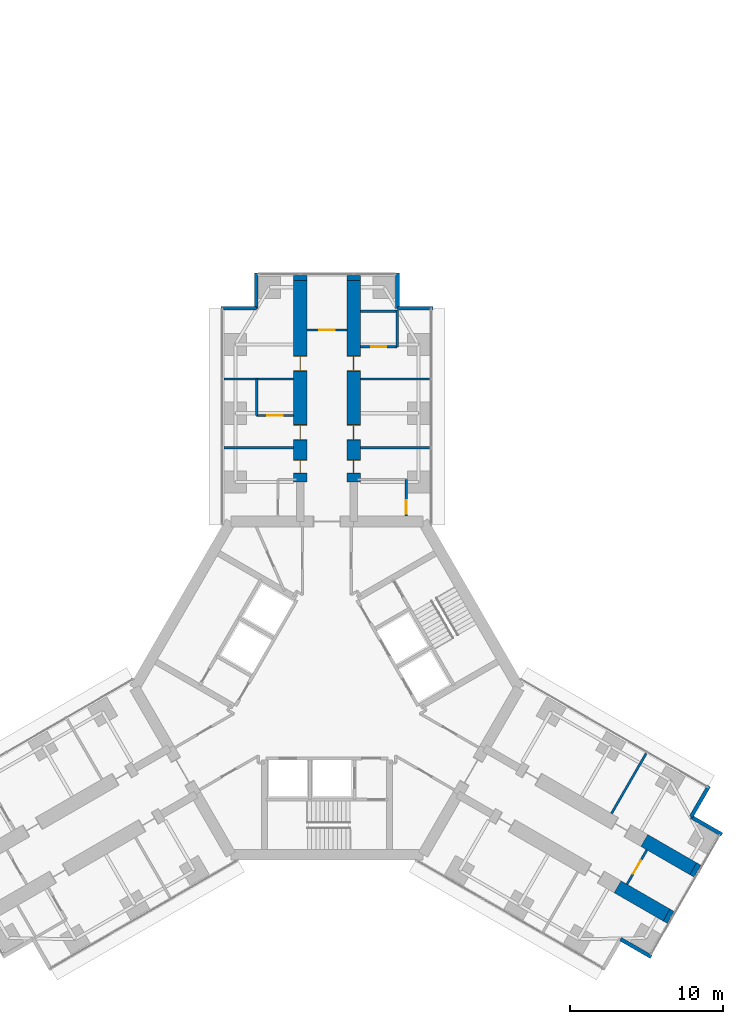
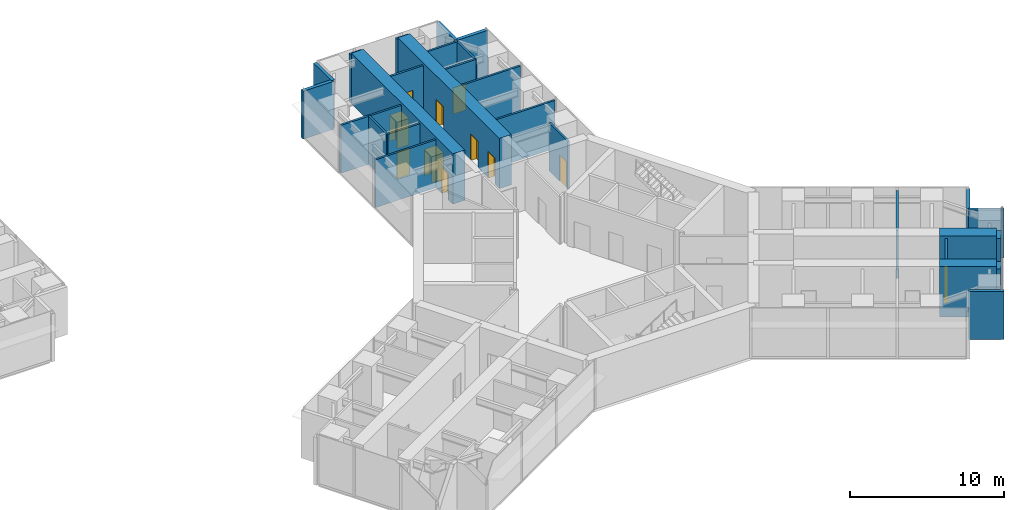
# One storey, part 22 of 24: 28 walls, 11 doors, 11 openings.
"""IFC4 building model written with IfcOpenShell, lengths in metres."""

from ifc_helpers import new_model, si_unit, direction, frame, frame_2d, origin, place, context, subcontext, project, spatial, rectangle, extrude, material, layer, layer_set, type_object, element, fill, save


model = new_model("IFC4")

# Units and contexts
model_context = context("Model", 3, precision=1e-05, world=origin(), true_north=direction((0.0, 1.0)))
body_context = subcontext(model_context, "Body", "Model", "MODEL_VIEW")
ifc_project = project(units=[si_unit("LENGTHUNIT", "METRE"), si_unit("AREAUNIT", "SQUARE_METRE"), si_unit("VOLUMEUNIT", "CUBIC_METRE"), si_unit("PLANEANGLEUNIT", "RADIAN"), si_unit("MASSUNIT", "GRAM", prefix="KILO")], contexts=[model_context])

# Site, building, storey
site_placement = place(None, origin())
site = spatial("IfcSite", under=ifc_project, at=site_placement, CompositionType="ELEMENT")
building_placement = place(site_placement, origin())
building = spatial("IfcBuilding", under=site, at=building_placement, Name="Upepo Twin Towers", CompositionType="ELEMENT")
storey_placement = place(building_placement, frame((0.0, 0.0, 56.5)))
storey = spatial("IfcBuildingStorey", under=building, at=storey_placement, Name="L13", CompositionType="ELEMENT", Elevation=56.5)

# Walls
ifc_material_1 = material(Name="Dense concrete blockwork", Category="masonry")
ifc_layer_1 = layer(ifc_material_1, 0.89990234375)
ifc_layer_set_1 = layer_set([ifc_layer_1], Name="Buttress closer 900, blockwork with fire-stopping to the curtain wall")
wall_type_1 = type_object("IfcWallType", Name="Buttress closer 900, blockwork with fire-stopping to the curtain wall", PredefinedType="PARTITIONING", material=ifc_layer_set_1)
for number, where, z_axis, x_axis, name in (
    (1, (56.75, 8.699951171875, 0.0), (0.0, 0.0, 1.0), (0.0, 1.0, 0.0), "T2 L13 wing A buttress closer L"),
    (2, (60.25, 8.699951171875, 0.0), (0.0, 0.0, 1.0), (0.0, 1.0, 0.0), "T2 L13 wing A buttress closer R"),
    (3, (82.497802734375, -29.83447265625, 0.0), (0.0, 0.0, 1.0), (0.866054481515, -0.499949632511, 0.0), "T2 L13 wing C buttress closer L"),
    (4, (80.747802734375, -32.865478515625, 0.0), (0.0, 0.0, 1.0), (0.866054481515, -0.499949632511, 0.0), "T2 L13 wing C buttress closer R"),
):
    element("IfcWall", number, at=place(storey_placement, frame(where, z_axis=z_axis, x_axis=x_axis)), inside=storey, type_object=wall_type_1, Name=name, PredefinedType="PARTITIONING", context=body_context, shape_type="SweptSolid", body=[
        extrude(rectangle(XDim=0.31005859375, YDim=0.89990234375, at=frame_2d((0.155029296875, 0.0))), origin(), (0.0, 0.0, 1.0), 3.800048828125),
    ])

# Wall, openings, doors
ifc_material_2 = material(Name="Concrete C60/75", Category="concrete")
ifc_layer_2 = layer(ifc_material_2, 0.89990234375)
ifc_layer_set_2 = layer_set([ifc_layer_2], Name="Concrete C60/75")
wall_type_2 = type_object("IfcWallType", Name="Buttress wall 900 RC", PredefinedType="SHEAR", material=ifc_layer_set_2)
wall_1_placement = place(storey_placement, frame((56.75, -4.5, 0.0), z_axis=(0.0, 0.0, 1.0), x_axis=(0.0, 1.0, 0.0)))
wall_1 = element("IfcWall", 5, at=wall_1_placement, inside=storey, type_object=wall_type_2, Name="T2 wing A buttress wall L part 2", PredefinedType="SHEAR", context=body_context, shape_type="SweptSolid", body=[
    extrude(rectangle(XDim=13.199951171875, YDim=0.89990234375, at=frame_2d((6.60009765625, 0.0))), origin(), (0.0, 0.0, 1.0), 4.0),
])
opening_1_placement = place(wall_1_placement, frame((0.550048828125, 0.0, 0.0)))
opening_1 = element("IfcOpeningElement", 6, at=opening_1_placement, cuts=wall_1, Name="Opening D11", PredefinedType="OPENING", context=body_context, shape_type="SweptSolid", body=[
    extrude(rectangle(XDim=0.89990234375, YDim=2.10009765625, at=frame_2d((0.449951171875, 1.050048828125))), frame((0.0, 0.4599609375, 0.0), z_axis=(0.0, -1.0, 0.0), x_axis=(1.0, 0.0, 0.0)), (0.0, 0.0, 1.0), 0.919921875),
])
opening_2_placement = place(wall_1_placement, frame((2.75, 0.0, 0.0)))
opening_2 = element("IfcOpeningElement", 7, at=opening_2_placement, cuts=wall_1, Name="Opening D1", PredefinedType="OPENING", context=body_context, shape_type="SweptSolid", body=[
    extrude(rectangle(XDim=1.0, YDim=2.10009765625, at=frame_2d((0.5, 1.050048828125))), frame((0.0, 0.4599609375, 0.0), z_axis=(0.0, -1.0, 0.0), x_axis=(1.0, 0.0, 0.0)), (0.0, 0.0, 1.0), 0.919921875),
])
opening_3_placement = place(wall_1_placement, frame((7.25, 0.0, 0.0)))
opening_3 = element("IfcOpeningElement", 8, at=opening_3_placement, cuts=wall_1, Name="Opening D1", PredefinedType="OPENING", context=body_context, shape_type="SweptSolid", body=[
    extrude(rectangle(XDim=1.0, YDim=2.10009765625, at=frame_2d((0.5, 1.050048828125))), frame((0.0, 0.4599609375, 0.0), z_axis=(0.0, -1.0, 0.0), x_axis=(1.0, 0.0, 0.0)), (0.0, 0.0, 1.0), 0.919921875),
])
ifc_material_3 = material(Name="Timber doorset", Category="wood")
door_type_1 = type_object("IfcDoorType", Name="Room door 1000 FD30", OperationType="SINGLE_SWING_LEFT", PredefinedType="DOOR", material=ifc_material_3)
door_1_placement = place(opening_2_placement, origin())
door_1 = element("IfcDoor", 9, at=door_1_placement, inside=storey, type_object=door_type_1, Name="T2 L13 tutorial room door", OperationType="SINGLE_SWING_LEFT", OverallHeight=2.10009765625, OverallWidth=1.0, PredefinedType="DOOR", context=body_context, shape_type="SweptSolid", body=[
    extrude(rectangle(XDim=0.92, YDim=2.06009765625, at=frame_2d((0.5, 1.030029296875))), frame((0.0, 0.02490234375, 0.0), z_axis=(0.0, -1.0, 0.0), x_axis=(1.0, 0.0, 0.0)), (0.0, 0.0, 1.0), 0.050048828125),
    extrude(rectangle(XDim=0.04, YDim=2.10009765625, at=frame_2d((0.02001953125, 1.050048828125))), frame((0.0, 0.44970703125, 0.0), z_axis=(0.0, -1.0, 0.0), x_axis=(1.0, 0.0, 0.0)), (0.0, 0.0, 1.0), 0.8994140625),
    extrude(rectangle(XDim=0.04, YDim=2.10009765625, at=frame_2d((0.97998046875, 1.050048828125))), frame((0.0, 0.44970703125, 0.0), z_axis=(0.0, -1.0, 0.0), x_axis=(1.0, 0.0, 0.0)), (0.0, 0.0, 1.0), 0.8994140625),
    extrude(rectangle(XDim=0.92, YDim=0.04, at=frame_2d((0.5, 2.080078125))), frame((0.0, 0.44970703125, 0.0), z_axis=(0.0, -1.0, 0.0), x_axis=(1.0, 0.0, 0.0)), (0.0, 0.0, 1.0), 0.8994140625),
])
fill(opening_2, door_1)
door_2_placement = place(opening_3_placement, origin())
door_2 = element("IfcDoor", 10, at=door_2_placement, inside=storey, type_object=door_type_1, Name="T2 L13 staff office door", OperationType="SINGLE_SWING_RIGHT", OverallHeight=2.10009765625, OverallWidth=1.0, PredefinedType="DOOR", context=body_context, shape_type="SweptSolid", body=[
    extrude(rectangle(XDim=0.92, YDim=2.06009765625, at=frame_2d((0.5, 1.030029296875))), frame((0.0, 0.02490234375, 0.0), z_axis=(0.0, -1.0, 0.0), x_axis=(1.0, 0.0, 0.0)), (0.0, 0.0, 1.0), 0.050048828125),
    extrude(rectangle(XDim=0.04, YDim=2.10009765625, at=frame_2d((0.02001953125, 1.050048828125))), frame((0.0, 0.44970703125, 0.0), z_axis=(0.0, -1.0, 0.0), x_axis=(1.0, 0.0, 0.0)), (0.0, 0.0, 1.0), 0.8994140625),
    extrude(rectangle(XDim=0.04, YDim=2.10009765625, at=frame_2d((0.97998046875, 1.050048828125))), frame((0.0, 0.44970703125, 0.0), z_axis=(0.0, -1.0, 0.0), x_axis=(1.0, 0.0, 0.0)), (0.0, 0.0, 1.0), 0.8994140625),
    extrude(rectangle(XDim=0.92, YDim=0.04, at=frame_2d((0.5, 2.080078125))), frame((0.0, 0.44970703125, 0.0), z_axis=(0.0, -1.0, 0.0), x_axis=(1.0, 0.0, 0.0)), (0.0, 0.0, 1.0), 0.8994140625),
])
fill(opening_3, door_2)
ifc_material_4 = material(Name="Timber doorset", Category="wood")
door_type_2 = type_object("IfcDoorType", Name="Toilet door 900", OperationType="SINGLE_SWING_LEFT", PredefinedType="DOOR", material=ifc_material_4)
door_3_placement = place(opening_1_placement, origin())
door_3 = element("IfcDoor", 11, at=door_3_placement, inside=storey, type_object=door_type_2, Name="T2 L13 toilets door", OperationType="SINGLE_SWING_LEFT", OverallHeight=2.10009765625, OverallWidth=0.89990234375, PredefinedType="DOOR", context=body_context, shape_type="SweptSolid", body=[
    extrude(rectangle(XDim=0.81990234375, YDim=2.06009765625, at=frame_2d((0.449951171875, 1.030029296875))), frame((0.0, 0.02490234375, 0.0), z_axis=(0.0, -1.0, 0.0), x_axis=(1.0, 0.0, 0.0)), (0.0, 0.0, 1.0), 0.050048828125),
    extrude(rectangle(XDim=0.04, YDim=2.10009765625, at=frame_2d((0.02001953125, 1.050048828125))), frame((0.0, 0.44970703125, 0.0), z_axis=(0.0, -1.0, 0.0), x_axis=(1.0, 0.0, 0.0)), (0.0, 0.0, 1.0), 0.8994140625),
    extrude(rectangle(XDim=0.04, YDim=2.10009765625, at=frame_2d((0.8798828125, 1.050048828125))), frame((0.0, 0.44970703125, 0.0), z_axis=(0.0, -1.0, 0.0), x_axis=(1.0, 0.0, 0.0)), (0.0, 0.0, 1.0), 0.8994140625),
    extrude(rectangle(XDim=0.81990234375, YDim=0.04, at=frame_2d((0.449951171875, 2.080078125))), frame((0.0, 0.44970703125, 0.0), z_axis=(0.0, -1.0, 0.0), x_axis=(1.0, 0.0, 0.0)), (0.0, 0.0, 1.0), 0.8994140625),
])
fill(opening_1, door_3)

wall_2_placement = place(storey_placement, frame((60.25, -4.5, 0.0), z_axis=(0.0, 0.0, 1.0), x_axis=(0.0, 1.0, 0.0)))
wall_2 = element("IfcWall", 12, at=wall_2_placement, inside=storey, type_object=wall_type_2, Name="T2 wing A buttress wall R part 2", PredefinedType="SHEAR", context=body_context, shape_type="SweptSolid", body=[
    extrude(rectangle(XDim=13.199951171875, YDim=0.89990234375, at=frame_2d((6.60009765625, 0.0))), origin(), (0.0, 0.0, 1.0), 4.0),
])
opening_4_placement = place(wall_2_placement, frame((0.550048828125, 0.0, 0.0)))
opening_4 = element("IfcOpeningElement", 13, at=opening_4_placement, cuts=wall_2, Name="Opening D11", PredefinedType="OPENING", context=body_context, shape_type="SweptSolid", body=[
    extrude(rectangle(XDim=0.89990234375, YDim=2.10009765625, at=frame_2d((0.449951171875, 1.050048828125))), frame((0.0, 0.4599609375, 0.0), z_axis=(0.0, -1.0, 0.0), x_axis=(1.0, 0.0, 0.0)), (0.0, 0.0, 1.0), 0.919921875),
])
opening_5_placement = place(wall_2_placement, frame((2.75, 0.0, 0.0)))
opening_5 = element("IfcOpeningElement", 14, at=opening_5_placement, cuts=wall_2, Name="Opening D1", PredefinedType="OPENING", context=body_context, shape_type="SweptSolid", body=[
    extrude(rectangle(XDim=1.0, YDim=2.10009765625, at=frame_2d((0.5, 1.050048828125))), frame((0.0, 0.4599609375, 0.0), z_axis=(0.0, -1.0, 0.0), x_axis=(1.0, 0.0, 0.0)), (0.0, 0.0, 1.0), 0.919921875),
])
opening_6_placement = place(wall_2_placement, frame((7.25, 0.0, 0.0)))
opening_6 = element("IfcOpeningElement", 15, at=opening_6_placement, cuts=wall_2, Name="Opening D1", PredefinedType="OPENING", context=body_context, shape_type="SweptSolid", body=[
    extrude(rectangle(XDim=1.0, YDim=2.10009765625, at=frame_2d((0.5, 1.050048828125))), frame((0.0, 0.4599609375, 0.0), z_axis=(0.0, -1.0, 0.0), x_axis=(1.0, 0.0, 0.0)), (0.0, 0.0, 1.0), 0.919921875),
])
door_4_placement = place(opening_5_placement, origin())
door_4 = element("IfcDoor", 16, at=door_4_placement, inside=storey, type_object=door_type_1, Name="T2 L13 seminar room door", OperationType="SINGLE_SWING_LEFT", OverallHeight=2.10009765625, OverallWidth=1.0, PredefinedType="DOOR", context=body_context, shape_type="SweptSolid", body=[
    extrude(rectangle(XDim=0.92, YDim=2.06009765625, at=frame_2d((0.5, 1.030029296875))), frame((0.0, 0.02490234375, 0.0), z_axis=(0.0, -1.0, 0.0), x_axis=(1.0, 0.0, 0.0)), (0.0, 0.0, 1.0), 0.050048828125),
    extrude(rectangle(XDim=0.04, YDim=2.10009765625, at=frame_2d((0.02001953125, 1.050048828125))), frame((0.0, 0.44970703125, 0.0), z_axis=(0.0, -1.0, 0.0), x_axis=(1.0, 0.0, 0.0)), (0.0, 0.0, 1.0), 0.8994140625),
    extrude(rectangle(XDim=0.04, YDim=2.10009765625, at=frame_2d((0.97998046875, 1.050048828125))), frame((0.0, 0.44970703125, 0.0), z_axis=(0.0, -1.0, 0.0), x_axis=(1.0, 0.0, 0.0)), (0.0, 0.0, 1.0), 0.8994140625),
    extrude(rectangle(XDim=0.92, YDim=0.04, at=frame_2d((0.5, 2.080078125))), frame((0.0, 0.44970703125, 0.0), z_axis=(0.0, -1.0, 0.0), x_axis=(1.0, 0.0, 0.0)), (0.0, 0.0, 1.0), 0.8994140625),
])
fill(opening_5, door_4)
door_5_placement = place(opening_6_placement, origin())
door_5 = element("IfcDoor", 17, at=door_5_placement, inside=storey, type_object=door_type_1, Name="T2 L13 tutorial room door", OperationType="SINGLE_SWING_RIGHT", OverallHeight=2.10009765625, OverallWidth=1.0, PredefinedType="DOOR", context=body_context, shape_type="SweptSolid", body=[
    extrude(rectangle(XDim=0.92, YDim=2.06009765625, at=frame_2d((0.5, 1.030029296875))), frame((0.0, 0.02490234375, 0.0), z_axis=(0.0, -1.0, 0.0), x_axis=(1.0, 0.0, 0.0)), (0.0, 0.0, 1.0), 0.050048828125),
    extrude(rectangle(XDim=0.04, YDim=2.10009765625, at=frame_2d((0.02001953125, 1.050048828125))), frame((0.0, 0.44970703125, 0.0), z_axis=(0.0, -1.0, 0.0), x_axis=(1.0, 0.0, 0.0)), (0.0, 0.0, 1.0), 0.8994140625),
    extrude(rectangle(XDim=0.04, YDim=2.10009765625, at=frame_2d((0.97998046875, 1.050048828125))), frame((0.0, 0.44970703125, 0.0), z_axis=(0.0, -1.0, 0.0), x_axis=(1.0, 0.0, 0.0)), (0.0, 0.0, 1.0), 0.8994140625),
    extrude(rectangle(XDim=0.92, YDim=0.04, at=frame_2d((0.5, 2.080078125))), frame((0.0, 0.44970703125, 0.0), z_axis=(0.0, -1.0, 0.0), x_axis=(1.0, 0.0, 0.0)), (0.0, 0.0, 1.0), 0.8994140625),
])
fill(opening_6, door_5)
door_6_placement = place(opening_4_placement, origin())
door_6 = element("IfcDoor", 18, at=door_6_placement, inside=storey, type_object=door_type_2, Name="T2 L13 accessible wc door", OperationType="SINGLE_SWING_LEFT", OverallHeight=2.10009765625, OverallWidth=0.89990234375, PredefinedType="DOOR", context=body_context, shape_type="SweptSolid", body=[
    extrude(rectangle(XDim=0.81990234375, YDim=2.06009765625, at=frame_2d((0.449951171875, 1.030029296875))), frame((0.0, 0.02490234375, 0.0), z_axis=(0.0, -1.0, 0.0), x_axis=(1.0, 0.0, 0.0)), (0.0, 0.0, 1.0), 0.050048828125),
    extrude(rectangle(XDim=0.04, YDim=2.10009765625, at=frame_2d((0.02001953125, 1.050048828125))), frame((0.0, 0.44970703125, 0.0), z_axis=(0.0, -1.0, 0.0), x_axis=(1.0, 0.0, 0.0)), (0.0, 0.0, 1.0), 0.8994140625),
    extrude(rectangle(XDim=0.04, YDim=2.10009765625, at=frame_2d((0.8798828125, 1.050048828125))), frame((0.0, 0.44970703125, 0.0), z_axis=(0.0, -1.0, 0.0), x_axis=(1.0, 0.0, 0.0)), (0.0, 0.0, 1.0), 0.8994140625),
    extrude(rectangle(XDim=0.81990234375, YDim=0.04, at=frame_2d((0.449951171875, 2.080078125))), frame((0.0, 0.44970703125, 0.0), z_axis=(0.0, -1.0, 0.0), x_axis=(1.0, 0.0, 0.0)), (0.0, 0.0, 1.0), 0.8994140625),
])
fill(opening_4, door_6)

# Walls
wall_3_placement = place(storey_placement, frame((79.293701171875, -27.984375, 0.0), z_axis=(0.0, 0.0, 1.0), x_axis=(0.866000971088, -0.500042316284, 0.0)))
element("IfcWall", 19, at=wall_3_placement, inside=storey, type_object=wall_type_2, Name="T2 wing C buttress wall L part 3", PredefinedType="SHEAR", context=body_context, shape_type="SweptSolid", body=[
    extrude(rectangle(XDim=3.699951171875, YDim=0.89990234375, at=frame_2d((1.85009765625, 0.0))), origin(), (0.0, 0.0, 1.0), 4.0),
])
wall_4_placement = place(storey_placement, frame((77.543701171875, -31.015625, 0.0), z_axis=(0.0, 0.0, 1.0), x_axis=(0.866029545028, -0.499992827086, 0.0)))
element("IfcWall", 20, at=wall_4_placement, inside=storey, type_object=wall_type_2, Name="T2 wing C buttress wall R part 3", PredefinedType="SHEAR", context=body_context, shape_type="SweptSolid", body=[
    extrude(rectangle(XDim=3.69970703125, YDim=0.89990234375, at=frame_2d((1.849853515625, 0.0))), origin(), (0.0, 0.0, 1.0), 4.0),
])
ifc_material_5 = material(Name="Blockwork with anodised aluminium cladding", Category="masonry")
ifc_layer_3 = layer(ifc_material_5, 0.25)
ifc_layer_set_3 = layer_set([ifc_layer_3], Name="Notch cladding wall 250, pale metal")
wall_type_3 = type_object("IfcWallType", Name="Notch cladding wall 250, pale metal", PredefinedType="STANDARD", material=ifc_layer_set_3)
for number, where, z_axis, x_axis, name in (
    (21, (51.550048828125, 6.875, 0.0), (0.0, 0.0, 1.0), (1.0, 0.0, 0.0), "T2 L13 wing A notch wall L1"),
    (22, (53.875, 6.875, 0.0), (0.0, 0.0, 1.0), (0.0, 1.0, 0.0), "T2 L13 wing A notch wall L2"),
    (23, (65.449951171875, 6.875, 0.0), (0.0, 0.0, 1.0), (-1.0, 0.0, 0.0), "T2 L13 wing A notch wall R1"),
    (24, (63.125, 6.875, 0.0), (0.0, 0.0, 1.0), (0.0, 1.0, 0.0), "T2 L13 wing A notch wall R2"),
    (25, (83.517333984375, -24.418701171875, 0.0), (0.0, 0.0, 1.0), (-0.499967891604, -0.866043940782, 0.0), "T2 L13 wing C notch wall L1"),
    (26, (82.35498046875, -26.43212890625, 0.0), (0.0, 0.0, 1.0), (0.865998469481, -0.500046648681, 0.0), "T2 L13 wing C notch wall L2"),
    (27, (77.72998046875, -34.44287109375, 0.0), (0.0, 0.0, 1.0), (0.865998469481, -0.500046648681, 0.0), "T2 L13 wing C notch wall R2"),
):
    element("IfcWall", number, at=place(storey_placement, frame(where, z_axis=z_axis, x_axis=x_axis)), inside=storey, type_object=wall_type_3, Name=name, PredefinedType="STANDARD", context=body_context, shape_type="SweptSolid", body=[
        extrude(rectangle(XDim=2.324951171875, YDim=0.25, at=frame_2d((1.16259765625, 0.0))), origin(), (0.0, 0.0, 1.0), 3.800048828125),
    ])
ifc_material_6 = material(Name="Gypsum board on steel studs", Category="steel")
ifc_layer_4 = layer(ifc_material_6, 0.14990234375)
ifc_layer_set_4 = layer_set([ifc_layer_4], Name="Teaching partition 150 acoustic")
wall_type_4 = type_object("IfcWallType", Name="Teaching partition 150 acoustic", PredefinedType="PARTITIONING", material=ifc_layer_set_4)
for number, where, z_axis, x_axis, name in (
    (28, (56.300048828125, -2.25, 0.0), (0.0, 0.0, 1.0), (-1.0, 0.0, 0.0), "T2 partition AL at 15.75"),
    (29, (56.300048828125, 2.25, 0.0), (0.0, 0.0, 1.0), (-1.0, 0.0, 0.0), "T2 partition AL at 20.25"),
):
    element("IfcWall", number, at=place(storey_placement, frame(where, z_axis=z_axis, x_axis=x_axis)), inside=storey, type_object=wall_type_4, Name=name, PredefinedType="PARTITIONING", context=body_context, shape_type="SweptSolid", body=[
        extrude(rectangle(XDim=4.550048828125, YDim=0.14990234375, at=frame_2d((2.27490234375, 0.0))), origin(), (0.0, 0.0, 1.0), 3.800048828125),
    ])
wall_5_placement = place(storey_placement, frame((53.89990234375, -0.14990234375, 0.0), z_axis=(0.0, 0.0, 1.0), x_axis=(0.0, 1.0, 0.0)))
element("IfcWall", 30, at=wall_5_placement, inside=storey, type_object=wall_type_4, Name="T2 inner room partition AL at 17.85", PredefinedType="PARTITIONING", context=body_context, shape_type="SweptSolid", body=[
    extrude(rectangle(XDim=2.39990234375, YDim=0.14990234375, at=frame_2d((1.199951171875, 0.0))), origin(), (0.0, 0.0, 1.0), 3.800048828125),
])

# Wall, opening, door
wall_6_placement = place(storey_placement, frame((56.300048828125, -0.14990234375, 0.0), z_axis=(0.0, 0.0, 1.0), x_axis=(-1.0, 0.0, 0.0)))
wall_6 = element("IfcWall", 31, at=wall_6_placement, inside=storey, type_object=wall_type_4, Name="T2 inner room partition AL end at 17.85", PredefinedType="PARTITIONING", context=body_context, shape_type="SweptSolid", body=[
    extrude(rectangle(XDim=2.400146484375, YDim=0.14990234375, at=frame_2d((1.2001953125, 0.0))), origin(), (0.0, 0.0, 1.0), 3.800048828125),
])
opening_7_placement = place(wall_6_placement, frame((0.699951171875, 0.0, 0.0)))
opening_7 = element("IfcOpeningElement", 32, at=opening_7_placement, cuts=wall_6, Name="Opening D1", PredefinedType="OPENING", context=body_context, shape_type="SweptSolid", body=[
    extrude(rectangle(XDim=1.0, YDim=2.10009765625, at=frame_2d((0.5, 1.050048828125))), frame((0.0, 0.0849609375, 0.0), z_axis=(0.0, -1.0, 0.0), x_axis=(1.0, 0.0, 0.0)), (0.0, 0.0, 1.0), 0.169921875),
])
door_7_placement = place(opening_7_placement, origin())
door_7 = element("IfcDoor", 33, at=door_7_placement, inside=storey, type_object=door_type_1, Name="T2 L13 inner room door", OperationType="SINGLE_SWING_LEFT", OverallHeight=2.10009765625, OverallWidth=1.0, PredefinedType="DOOR", context=body_context, shape_type="SweptSolid", body=[
    extrude(rectangle(XDim=1.0, YDim=2.10009765625, at=frame_2d((0.5, 1.050048828125))), frame((0.0, 0.02490234375, 0.0), z_axis=(0.0, -1.0, 0.0), x_axis=(1.0, 0.0, 0.0)), (0.0, 0.0, 1.0), 0.050048828125),
])
fill(opening_7, door_7)

# Walls
for number, where, z_axis, x_axis, name in (
    (34, (60.699951171875, -2.25, 0.0), (0.0, 0.0, 1.0), (1.0, 0.0, 0.0), "T2 partition AR at 15.75"),
    (35, (60.699951171875, 2.25, 0.0), (0.0, 0.0, 1.0), (1.0, 0.0, 0.0), "T2 partition AR at 20.25"),
):
    element("IfcWall", number, at=place(storey_placement, frame(where, z_axis=z_axis, x_axis=x_axis)), inside=storey, type_object=wall_type_4, Name=name, PredefinedType="PARTITIONING", context=body_context, shape_type="SweptSolid", body=[
        extrude(rectangle(XDim=4.550048828125, YDim=0.14990234375, at=frame_2d((2.27490234375, 0.0))), origin(), (0.0, 0.0, 1.0), 3.800048828125),
    ])
wall_7_placement = place(storey_placement, frame((63.10009765625, 4.35009765625, 0.0), z_axis=(0.0, 0.0, 1.0), x_axis=(0.0, 1.0, 0.0)))
element("IfcWall", 36, at=wall_7_placement, inside=storey, type_object=wall_type_4, Name="T2 inner room partition AR at 22.35", PredefinedType="PARTITIONING", context=body_context, shape_type="SweptSolid", body=[
    extrude(rectangle(XDim=2.39990234375, YDim=0.14990234375, at=frame_2d((1.199951171875, 0.0))), origin(), (0.0, 0.0, 1.0), 3.800048828125),
])

# Wall, opening, door
wall_8_placement = place(storey_placement, frame((60.699951171875, 4.35009765625, 0.0), z_axis=(0.0, 0.0, 1.0), x_axis=(1.0, 0.0, 0.0)))
wall_8 = element("IfcWall", 37, at=wall_8_placement, inside=storey, type_object=wall_type_4, Name="T2 inner room partition AR end at 22.35", PredefinedType="PARTITIONING", context=body_context, shape_type="SweptSolid", body=[
    extrude(rectangle(XDim=2.400146484375, YDim=0.14990234375, at=frame_2d((1.2001953125, 0.0))), origin(), (0.0, 0.0, 1.0), 3.800048828125),
])
opening_8_placement = place(wall_8_placement, frame((0.699951171875, 0.0, 0.0)))
opening_8 = element("IfcOpeningElement", 38, at=opening_8_placement, cuts=wall_8, Name="Opening D1", PredefinedType="OPENING", context=body_context, shape_type="SweptSolid", body=[
    extrude(rectangle(XDim=1.0, YDim=2.10009765625, at=frame_2d((0.5, 1.050048828125))), frame((0.0, 0.0849609375, 0.0), z_axis=(0.0, -1.0, 0.0), x_axis=(1.0, 0.0, 0.0)), (0.0, 0.0, 1.0), 0.169921875),
])
door_8_placement = place(opening_8_placement, origin())
door_8 = element("IfcDoor", 39, at=door_8_placement, inside=storey, type_object=door_type_1, Name="T2 L13 inner room door", OperationType="SINGLE_SWING_LEFT", OverallHeight=2.10009765625, OverallWidth=1.0, PredefinedType="DOOR", context=body_context, shape_type="SweptSolid", body=[
    extrude(rectangle(XDim=1.0, YDim=2.10009765625, at=frame_2d((0.5, 1.050048828125))), frame((0.0, 0.02490234375, 0.0), z_axis=(0.0, -1.0, 0.0), x_axis=(1.0, 0.0, 0.0)), (0.0, 0.0, 1.0), 0.050048828125),
])
fill(opening_8, door_8)

# Wall
wall_9_placement = place(storey_placement, frame((60.699951171875, 6.675048828125, 0.0), z_axis=(0.0, 0.0, 1.0), x_axis=(1.0, 0.0, 0.0)))
element("IfcWall", 40, at=wall_9_placement, inside=storey, type_object=wall_type_4, Name="T2 inner room partition AR end at 24.75", PredefinedType="PARTITIONING", context=body_context, shape_type="SweptSolid", body=[
    extrude(rectangle(XDim=2.400146484375, YDim=0.14990234375, at=frame_2d((1.2001953125, 0.0))), origin(), (0.0, 0.0, 1.0), 3.800048828125),
])

# Wall, opening, door
wall_10_placement = place(storey_placement, frame((63.699951171875, -6.741943359375, 0.0), z_axis=(0.0, 0.0, 1.0), x_axis=(0.0, 1.0, 0.0)))
wall_10 = element("IfcWall", 41, at=wall_10_placement, inside=storey, type_object=wall_type_4, Name="T2 WC bay partition AR at 11.26", PredefinedType="PARTITIONING", context=body_context, shape_type="SweptSolid", body=[
    extrude(rectangle(XDim=2.39990234375, YDim=0.14990234375, at=frame_2d((1.199951171875, 0.0))), origin(), (0.0, 0.0, 1.0), 3.800048828125),
])
opening_9_placement = place(wall_10_placement, frame((0.14990234375, 0.0, 0.0)))
opening_9 = element("IfcOpeningElement", 42, at=opening_9_placement, cuts=wall_10, Name="Opening D14", PredefinedType="OPENING", context=body_context, shape_type="SweptSolid", body=[
    extrude(rectangle(XDim=0.89990234375, YDim=2.10009765625, at=frame_2d((0.449951171875, 1.050048828125))), frame((0.0, 0.0849609375, 0.0), z_axis=(0.0, -1.0, 0.0), x_axis=(1.0, 0.0, 0.0)), (0.0, 0.0, 1.0), 0.169921875),
])
ifc_material_7 = material(Name="Timber doorset", Category="wood")
door_type_3 = type_object("IfcDoorType", Name="Office door 900 FD30", OperationType="SINGLE_SWING_LEFT", PredefinedType="DOOR", material=ifc_material_7)
door_9_placement = place(opening_9_placement, origin())
door_9 = element("IfcDoor", 43, at=door_9_placement, inside=storey, type_object=door_type_3, Name="T2 L13 WC bay inner room door", OperationType="SINGLE_SWING_LEFT", OverallHeight=2.10009765625, OverallWidth=0.89990234375, PredefinedType="DOOR", context=body_context, shape_type="SweptSolid", body=[
    extrude(rectangle(XDim=0.89990234375, YDim=2.10009765625, at=frame_2d((0.449951171875, 1.050048828125))), frame((0.0, 0.02490234375, 0.0), z_axis=(0.0, -1.0, 0.0), x_axis=(1.0, 0.0, 0.0)), (0.0, 0.0, 1.0), 0.050048828125),
])
fill(opening_9, door_9)

# Wall
wall_11_placement = place(storey_placement, frame((77.136962890625, -26.2197265625, 0.0), z_axis=(0.0, 0.0, 1.0), x_axis=(0.500022803284, 0.866012237902, 0.0)))
element("IfcWall", 44, at=wall_11_placement, inside=storey, type_object=wall_type_4, Name="T2 partition CL at 20.25", PredefinedType="PARTITIONING", context=body_context, shape_type="SweptSolid", body=[
    extrude(rectangle(XDim=4.550048828125, YDim=0.14990234375, at=frame_2d((2.27490234375, 0.0))), origin(), (0.0, 0.0, 1.0), 3.800048828125),
])

# Wall, opening, door
wall_12_placement = place(storey_placement, frame((59.800048828125, 5.449951171875, 0.0), z_axis=(0.0, 0.0, 1.0), x_axis=(-1.0, 0.0, 0.0)))
wall_12 = element("IfcWall", 45, at=wall_12_placement, inside=storey, type_object=wall_type_4, Name="T2 corridor end partition A at 23.45", PredefinedType="PARTITIONING", context=body_context, shape_type="SweptSolid", body=[
    extrude(rectangle(XDim=2.60009765625, YDim=0.14990234375, at=frame_2d((1.300048828125, 0.0))), origin(), (0.0, 0.0, 1.0), 3.800048828125),
])
opening_10_placement = place(wall_12_placement, frame((0.800048828125, 0.0, 0.0)))
opening_10 = element("IfcOpeningElement", 46, at=opening_10_placement, cuts=wall_12, Name="Opening D1", PredefinedType="OPENING", context=body_context, shape_type="SweptSolid", body=[
    extrude(rectangle(XDim=1.0, YDim=2.10009765625, at=frame_2d((0.5, 1.050048828125))), frame((0.0, 0.0849609375, 0.0), z_axis=(0.0, -1.0, 0.0), x_axis=(1.0, 0.0, 0.0)), (0.0, 0.0, 1.0), 0.169921875),
])
door_10_placement = place(opening_10_placement, origin())
door_10 = element("IfcDoor", 47, at=door_10_placement, inside=storey, type_object=door_type_1, Name="T2 L13 breakout study room door", OperationType="SINGLE_SWING_LEFT", OverallHeight=2.10009765625, OverallWidth=1.0, PredefinedType="DOOR", context=body_context, shape_type="SweptSolid", body=[
    extrude(rectangle(XDim=1.0, YDim=2.10009765625, at=frame_2d((0.5, 1.050048828125))), frame((0.0, 0.02490234375, 0.0), z_axis=(0.0, -1.0, 0.0), x_axis=(1.0, 0.0, 0.0)), (0.0, 0.0, 1.0), 0.050048828125),
])
fill(opening_10, door_10)

wall_13_placement = place(storey_placement, frame((78.158203125, -30.850830078125, 0.0), z_axis=(0.0, 0.0, 1.0), x_axis=(0.500006934395, 0.866021400173, 0.0)))
wall_13 = element("IfcWall", 48, at=wall_13_placement, inside=storey, type_object=wall_type_4, Name="T2 corridor end partition C at 23.45", PredefinedType="PARTITIONING", context=body_context, shape_type="SweptSolid", body=[
    extrude(rectangle(XDim=2.60009765625, YDim=0.14990234375, at=frame_2d((1.300048828125, 0.0))), origin(), (0.0, 0.0, 1.0), 3.800048828125),
])
opening_11_placement = place(wall_13_placement, frame((0.800048828125, 0.0, 0.0)))
opening_11 = element("IfcOpeningElement", 49, at=opening_11_placement, cuts=wall_13, Name="Opening D1", PredefinedType="OPENING", context=body_context, shape_type="SweptSolid", body=[
    extrude(rectangle(XDim=1.0, YDim=2.10009765625, at=frame_2d((0.5, 1.050048828125))), frame((0.0, 0.0849609375, 0.0), z_axis=(0.0, -1.0, 0.0), x_axis=(1.0, 0.0, 0.0)), (0.0, 0.0, 1.0), 0.169921875),
])
door_11_placement = place(opening_11_placement, origin())
door_11 = element("IfcDoor", 50, at=door_11_placement, inside=storey, type_object=door_type_1, Name="T2 L13 breakout study room door", OperationType="SINGLE_SWING_LEFT", OverallHeight=2.10009765625, OverallWidth=1.0, PredefinedType="DOOR", context=body_context, shape_type="SweptSolid", body=[
    extrude(rectangle(XDim=1.0, YDim=2.10009765625, at=frame_2d((0.5, 1.050048828125))), frame((0.0, 0.02490234375, 0.0), z_axis=(0.0, -1.0, 0.0), x_axis=(1.0, 0.0, 0.0)), (0.0, 0.0, 1.0), 0.050048828125),
])
fill(opening_11, door_11)

save(model, "model.ifc")
